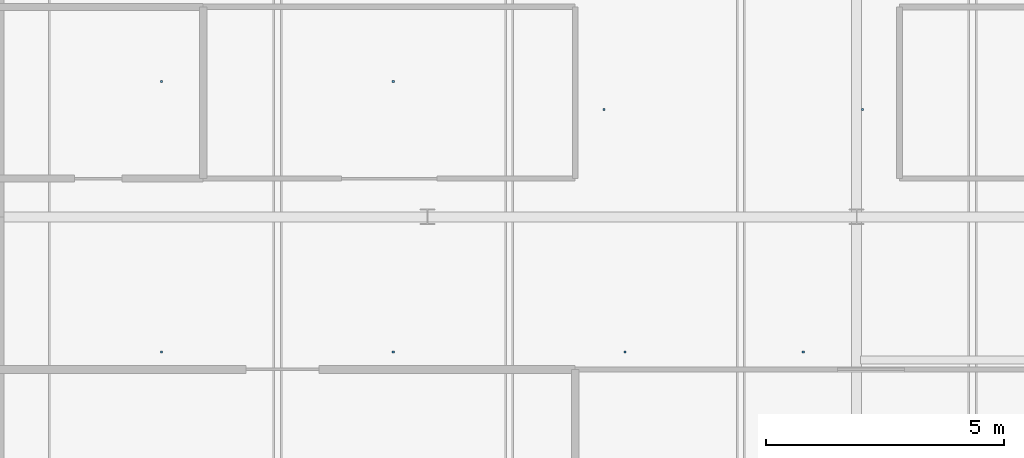
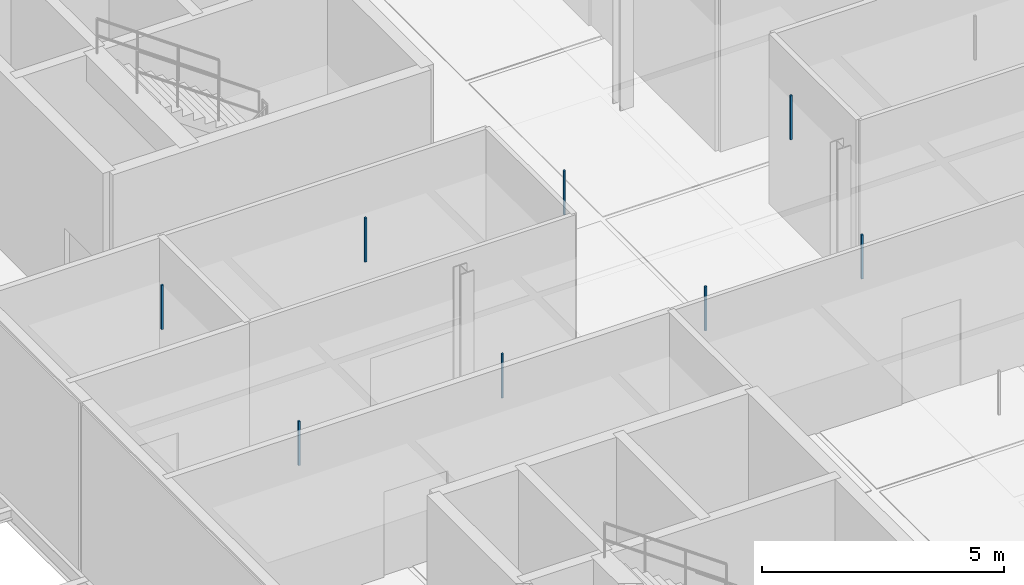
# One storey, part 58 of 66: 8 discrete accessories.
"""IFC4 building model written with IfcOpenShell, lengths in metres."""

from ifc_helpers import new_model, si_unit, direction, frame, origin, origin_2d, place, context, subcontext, project, spatial, rectangle, extrude, material, type_object, element, save


model = new_model("IFC4")

# Units and contexts
model_context = context("Model", 3, precision=1e-05, world=origin(), true_north=direction((0.0, 1.0)))
body_context = subcontext(model_context, "Body", "Model", "MODEL_VIEW")
ifc_project = project(units=[si_unit("LENGTHUNIT", "METRE"), si_unit("AREAUNIT", "SQUARE_METRE"), si_unit("VOLUMEUNIT", "CUBIC_METRE"), si_unit("PLANEANGLEUNIT", "RADIAN"), si_unit("MASSUNIT", "GRAM", prefix="KILO"), si_unit("THERMODYNAMICTEMPERATUREUNIT", "KELVIN"), si_unit("POWERUNIT", "WATT")], contexts=[model_context])

# Site, building, storey
site_placement = place(None, origin())
site = spatial("IfcSite", under=ifc_project, at=site_placement, CompositionType="ELEMENT")
building_placement = place(site_placement, origin())
building = spatial("IfcBuilding", under=site, at=building_placement, Name="Tallowbark Science Centre", CompositionType="ELEMENT")
storey_placement = place(building_placement, frame((0.0, 0.0, 18.89990234375)))
storey = spatial("IfcBuildingStorey", under=building, at=storey_placement, Name="L04", CompositionType="ELEMENT", Elevation=18.89990234375)

# Discrete accessories
ifc_material = material(Name="Galvanised Steel Grade C350L0 (350 MPa)", Category="steel")
discrete_accessory_type = type_object("IfcDiscreteAccessoryType", Name="ACC-CLG-HNG", PredefinedType="BRACKET", material=ifc_material)
for number, where, z_axis, x_axis, name in (
    (1, (115.9287109375, 87.166748046875, 3.2060546875), (0.0, 0.0, 1.0), (1.0, 0.0, 0.0), "Ceiling Hanger Bracket L04-1116"),
    (2, (115.9287109375, 92.833251953125, 3.2060546875), (0.0, 0.0, 1.0), (1.0, 0.0, 0.0), "Ceiling Hanger Bracket L04-1117"),
    (3, (120.78564453125, 87.166748046875, 3.2060546875), (0.0, 0.0, 1.0), (1.0, 0.0, 0.0), "Ceiling Hanger Bracket L04-1118"),
    (4, (120.78564453125, 92.833251953125, 3.2060546875), (0.0, 0.0, 1.0), (1.0, 0.0, 0.0), "Ceiling Hanger Bracket L04-1119"),
    (5, (125.642822265625, 87.166748046875, 3.2060546875), (0.0, 0.0, 1.0), (1.0, 0.0, 0.0), "Ceiling Hanger Bracket L04-1120"),
    (6, (125.2021484375, 92.25, 3.2060546875), (0.0, 0.0, 1.0), (1.0, 0.0, 0.0), "Ceiling Hanger Bracket L04-1121"),
    (7, (129.380615234375, 87.166748046875, 3.2060546875), (0.0, 0.0, 1.0), (1.0, 0.0, 0.0), "Ceiling Hanger Bracket L04-1124"),
    (8, (130.619384765625, 92.25, 3.2060546875), (0.0, 0.0, 1.0), (1.0, 0.0, 0.0), "Ceiling Hanger Bracket L04-1125"),
):
    element("IfcDiscreteAccessory", number, at=place(storey_placement, frame(where, z_axis=z_axis, x_axis=x_axis)), inside=storey, type_object=discrete_accessory_type, Name=name, PredefinedType="BRACKET", context=body_context, shape_type="SweptSolid", body=[
        extrude(rectangle(XDim=0.044921875, YDim=0.044921875, at=origin_2d()), origin(), (0.0, 0.0, 1.0), 1.116943359375),
    ])

save(model, "model.ifc")
